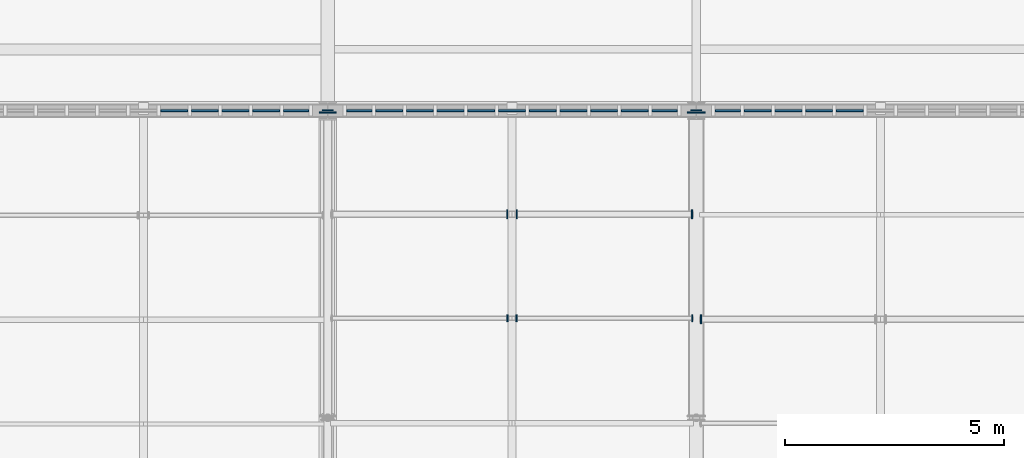
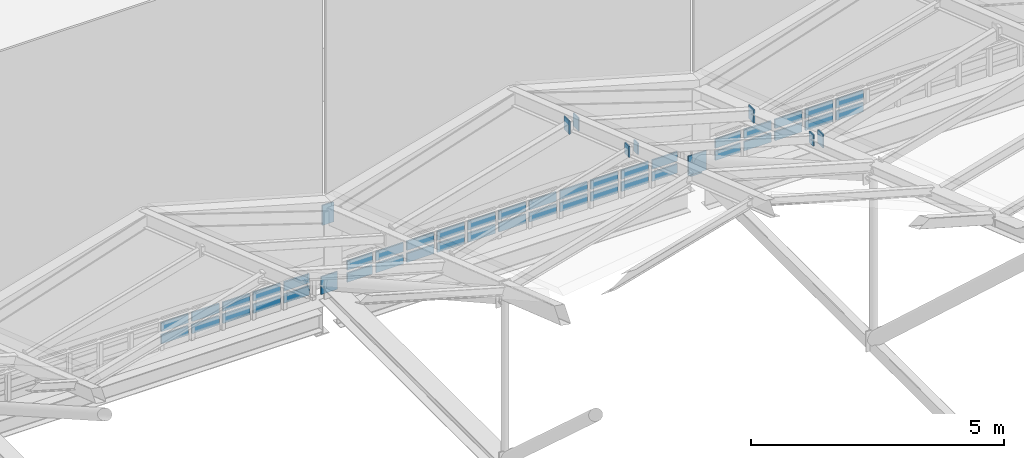
# One storey, part 62 of 77: 53 plates, 3 elements without a shape of their own.
"""IFC4 building model written with IfcOpenShell, lengths in metres."""

from ifc_helpers import new_model, si_unit, direction, frame, origin, origin_2d, place, context, subcontext, project, spatial, rectangle, extrude, material, layer, layer_set, type_object, element, aggregate, save


model = new_model("IFC4")

# Units and contexts
model_context = context("Model", 3, precision=1e-05, world=origin(), true_north=direction((0.0, 1.0)))
body_context = subcontext(model_context, "Body", "Model", "MODEL_VIEW")
ifc_project = project(units=[si_unit("LENGTHUNIT", "METRE"), si_unit("AREAUNIT", "SQUARE_METRE"), si_unit("VOLUMEUNIT", "CUBIC_METRE"), si_unit("PLANEANGLEUNIT", "RADIAN"), si_unit("MASSUNIT", "GRAM", prefix="KILO")], contexts=[model_context])

# Site, building, storey
site_placement = place(None, origin())
site = spatial("IfcSite", under=ifc_project, at=site_placement, CompositionType="ELEMENT")
building_placement = place(site_placement, origin())
building = spatial("IfcBuilding", under=site, at=building_placement, Name="Larkvane Passage Sports Hall", CompositionType="ELEMENT")
storey_placement = place(building_placement, frame((0.0, 0.0, 22.199951171875)))
storey = spatial("IfcBuildingStorey", under=building, at=storey_placement, Name="RF", CompositionType="ELEMENT", Elevation=22.199951171875)

# Curtain wall, plates
ifc_material_1 = material(Name="Thermally broken aluminium and low-E glazing", Category="aluminium")
curtain_wall_type = type_object("IfcCurtainWallType", Name="CW-CLER-N", PredefinedType="USERDEFINED", material=ifc_material_1)
curtain_wall_1_placement = place(storey_placement, origin())
curtain_wall_1 = element("IfcCurtainWall", 1, at=curtain_wall_1_placement, inside=storey, type_object=curtain_wall_type, Name="Curtain wall CW5-RF-CLER-2", ObjectType="STICK CURTAIN WALL", PredefinedType="USERDEFINED")
ifc_material_2 = material(Name="High-impact court low-E glazing", Category="glass")
ifc_layer_1 = layer(ifc_material_2, 0.035888671875)
ifc_layer_set_1 = layer_set([ifc_layer_1], Name="High-impact court low-E glazing")
plate_type_1 = type_object("IfcPlateType", Name="CWP-VIS-36", PredefinedType="CURTAIN_PANEL", material=ifc_layer_set_1)
plate_1_placement = place(storey_placement, frame((50.8798828125, 75.60009765625, 0.0751953125), z_axis=(0.0, 0.0, 1.0), x_axis=(-1.0, 0.0, 0.0)))
plate_1 = element("IfcPlate", 2, at=plate_1_placement, type_object=plate_type_1, Name="CW-04 panel 1.1", PredefinedType="CURTAIN_PANEL", context=body_context, shape_type="SweptSolid", body=[
    extrude(rectangle(XDim=0.580078125, YDim=0.035888671875, at=origin_2d()), origin(), (0.0, 0.0, 1.0), 0.217529296875),
])
plate_2_placement = place(storey_placement, frame((50.8798828125, 75.60009765625, 0.36767578125), z_axis=(0.0, 0.0, 1.0), x_axis=(-1.0, 0.0, 0.0)))
plate_2 = element("IfcPlate", 3, at=plate_2_placement, type_object=plate_type_1, Name="CW-04 panel 1.2", PredefinedType="CURTAIN_PANEL", context=body_context, shape_type="SweptSolid", body=[
    extrude(rectangle(XDim=0.580078125, YDim=0.035888671875, at=origin_2d()), origin(), (0.0, 0.0, 1.0), 0.217529296875),
])
plate_3_placement = place(storey_placement, frame((50.199951171875, 75.60009765625, 0.0751953125), z_axis=(0.0, 0.0, 1.0), x_axis=(-1.0, 0.0, 0.0)))
plate_3 = element("IfcPlate", 4, at=plate_3_placement, type_object=plate_type_1, Name="CW-04 panel 2.1", PredefinedType="CURTAIN_PANEL", context=body_context, shape_type="SweptSolid", body=[
    extrude(rectangle(XDim=0.6201171875, YDim=0.035888671875, at=origin_2d()), origin(), (0.0, 0.0, 1.0), 0.217529296875),
])
plate_4_placement = place(storey_placement, frame((50.199951171875, 75.60009765625, 0.36767578125), z_axis=(0.0, 0.0, 1.0), x_axis=(-1.0, 0.0, 0.0)))
plate_4 = element("IfcPlate", 5, at=plate_4_placement, type_object=plate_type_1, Name="CW-04 panel 2.2", PredefinedType="CURTAIN_PANEL", context=body_context, shape_type="SweptSolid", body=[
    extrude(rectangle(XDim=0.6201171875, YDim=0.035888671875, at=origin_2d()), origin(), (0.0, 0.0, 1.0), 0.217529296875),
])
plate_5_placement = place(storey_placement, frame((49.5, 75.60009765625, 0.0751953125), z_axis=(0.0, 0.0, 1.0), x_axis=(-1.0, 0.0, 0.0)))
plate_5 = element("IfcPlate", 6, at=plate_5_placement, type_object=plate_type_1, Name="CW-04 panel 3.1", PredefinedType="CURTAIN_PANEL", context=body_context, shape_type="SweptSolid", body=[
    extrude(rectangle(XDim=0.6201171875, YDim=0.035888671875, at=origin_2d()), origin(), (0.0, 0.0, 1.0), 0.217529296875),
])
plate_6_placement = place(storey_placement, frame((49.5, 75.60009765625, 0.36767578125), z_axis=(0.0, 0.0, 1.0), x_axis=(-1.0, 0.0, 0.0)))
plate_6 = element("IfcPlate", 7, at=plate_6_placement, type_object=plate_type_1, Name="CW-04 panel 3.2", PredefinedType="CURTAIN_PANEL", context=body_context, shape_type="SweptSolid", body=[
    extrude(rectangle(XDim=0.6201171875, YDim=0.035888671875, at=origin_2d()), origin(), (0.0, 0.0, 1.0), 0.217529296875),
])
plate_7_placement = place(storey_placement, frame((48.800048828125, 75.60009765625, 0.0751953125), z_axis=(0.0, 0.0, 1.0), x_axis=(-1.0, 0.0, 0.0)))
plate_7 = element("IfcPlate", 8, at=plate_7_placement, type_object=plate_type_1, Name="CW-04 panel 4.1", PredefinedType="CURTAIN_PANEL", context=body_context, shape_type="SweptSolid", body=[
    extrude(rectangle(XDim=0.6201171875, YDim=0.035888671875, at=origin_2d()), origin(), (0.0, 0.0, 1.0), 0.217529296875),
])
plate_8_placement = place(storey_placement, frame((48.800048828125, 75.60009765625, 0.36767578125), z_axis=(0.0, 0.0, 1.0), x_axis=(-1.0, 0.0, 0.0)))
plate_8 = element("IfcPlate", 9, at=plate_8_placement, type_object=plate_type_1, Name="CW-04 panel 4.2", PredefinedType="CURTAIN_PANEL", context=body_context, shape_type="SweptSolid", body=[
    extrude(rectangle(XDim=0.6201171875, YDim=0.035888671875, at=origin_2d()), origin(), (0.0, 0.0, 1.0), 0.217529296875),
])
plate_9_placement = place(storey_placement, frame((48.10009765625, 75.60009765625, 0.0751953125), z_axis=(0.0, 0.0, 1.0), x_axis=(-1.0, 0.0, 0.0)))
plate_9 = element("IfcPlate", 10, at=plate_9_placement, type_object=plate_type_1, Name="CW-04 panel 5.1", PredefinedType="CURTAIN_PANEL", context=body_context, shape_type="SweptSolid", body=[
    extrude(rectangle(XDim=0.6201171875, YDim=0.035888671875, at=origin_2d()), origin(), (0.0, 0.0, 1.0), 0.217529296875),
])
plate_10_placement = place(storey_placement, frame((48.10009765625, 75.60009765625, 0.36767578125), z_axis=(0.0, 0.0, 1.0), x_axis=(-1.0, 0.0, 0.0)))
plate_10 = element("IfcPlate", 11, at=plate_10_placement, type_object=plate_type_1, Name="CW-04 panel 5.2", PredefinedType="CURTAIN_PANEL", context=body_context, shape_type="SweptSolid", body=[
    extrude(rectangle(XDim=0.6201171875, YDim=0.035888671875, at=origin_2d()), origin(), (0.0, 0.0, 1.0), 0.217529296875),
])
aggregate(curtain_wall_1, [plate_1, plate_2, plate_3, plate_4, plate_5, plate_6, plate_7, plate_8, plate_9, plate_10])

curtain_wall_2_placement = place(storey_placement, origin())
curtain_wall_2 = element("IfcCurtainWall", 12, at=curtain_wall_2_placement, inside=storey, type_object=curtain_wall_type, Name="Curtain wall CW5-RF-CLER-3", ObjectType="STICK CURTAIN WALL", PredefinedType="USERDEFINED")
plate_11_placement = place(storey_placement, frame((59.280029296875, 75.60009765625, 0.0751953125), z_axis=(0.0, 0.0, 1.0), x_axis=(-1.0, 0.0, 0.0)))
plate_11 = element("IfcPlate", 13, at=plate_11_placement, type_object=plate_type_1, Name="CW-04 panel 1.1", PredefinedType="CURTAIN_PANEL", context=body_context, shape_type="SweptSolid", body=[
    extrude(rectangle(XDim=0.580078125, YDim=0.035888671875, at=origin_2d()), origin(), (0.0, 0.0, 1.0), 0.217529296875),
])
plate_12_placement = place(storey_placement, frame((59.280029296875, 75.60009765625, 0.36767578125), z_axis=(0.0, 0.0, 1.0), x_axis=(-1.0, 0.0, 0.0)))
plate_12 = element("IfcPlate", 14, at=plate_12_placement, type_object=plate_type_1, Name="CW-04 panel 1.2", PredefinedType="CURTAIN_PANEL", context=body_context, shape_type="SweptSolid", body=[
    extrude(rectangle(XDim=0.580078125, YDim=0.035888671875, at=origin_2d()), origin(), (0.0, 0.0, 1.0), 0.217529296875),
])
plate_13_placement = place(storey_placement, frame((58.60009765625, 75.60009765625, 0.0751953125), z_axis=(0.0, 0.0, 1.0), x_axis=(-1.0, 0.0, 0.0)))
plate_13 = element("IfcPlate", 15, at=plate_13_placement, type_object=plate_type_1, Name="CW-04 panel 2.1", PredefinedType="CURTAIN_PANEL", context=body_context, shape_type="SweptSolid", body=[
    extrude(rectangle(XDim=0.6201171875, YDim=0.035888671875, at=origin_2d()), origin(), (0.0, 0.0, 1.0), 0.217529296875),
])
plate_14_placement = place(storey_placement, frame((58.60009765625, 75.60009765625, 0.36767578125), z_axis=(0.0, 0.0, 1.0), x_axis=(-1.0, 0.0, 0.0)))
plate_14 = element("IfcPlate", 16, at=plate_14_placement, type_object=plate_type_1, Name="CW-04 panel 2.2", PredefinedType="CURTAIN_PANEL", context=body_context, shape_type="SweptSolid", body=[
    extrude(rectangle(XDim=0.6201171875, YDim=0.035888671875, at=origin_2d()), origin(), (0.0, 0.0, 1.0), 0.217529296875),
])
plate_15_placement = place(storey_placement, frame((57.89990234375, 75.60009765625, 0.0751953125), z_axis=(0.0, 0.0, 1.0), x_axis=(-1.0, 0.0, 0.0)))
plate_15 = element("IfcPlate", 17, at=plate_15_placement, type_object=plate_type_1, Name="CW-04 panel 3.1", PredefinedType="CURTAIN_PANEL", context=body_context, shape_type="SweptSolid", body=[
    extrude(rectangle(XDim=0.6201171875, YDim=0.035888671875, at=origin_2d()), origin(), (0.0, 0.0, 1.0), 0.217529296875),
])
plate_16_placement = place(storey_placement, frame((57.89990234375, 75.60009765625, 0.36767578125), z_axis=(0.0, 0.0, 1.0), x_axis=(-1.0, 0.0, 0.0)))
plate_16 = element("IfcPlate", 18, at=plate_16_placement, type_object=plate_type_1, Name="CW-04 panel 3.2", PredefinedType="CURTAIN_PANEL", context=body_context, shape_type="SweptSolid", body=[
    extrude(rectangle(XDim=0.6201171875, YDim=0.035888671875, at=origin_2d()), origin(), (0.0, 0.0, 1.0), 0.217529296875),
])
plate_17_placement = place(storey_placement, frame((57.199951171875, 75.60009765625, 0.0751953125), z_axis=(0.0, 0.0, 1.0), x_axis=(-1.0, 0.0, 0.0)))
plate_17 = element("IfcPlate", 19, at=plate_17_placement, type_object=plate_type_1, Name="CW-04 panel 4.1", PredefinedType="CURTAIN_PANEL", context=body_context, shape_type="SweptSolid", body=[
    extrude(rectangle(XDim=0.6201171875, YDim=0.035888671875, at=origin_2d()), origin(), (0.0, 0.0, 1.0), 0.217529296875),
])
plate_18_placement = place(storey_placement, frame((57.199951171875, 75.60009765625, 0.36767578125), z_axis=(0.0, 0.0, 1.0), x_axis=(-1.0, 0.0, 0.0)))
plate_18 = element("IfcPlate", 20, at=plate_18_placement, type_object=plate_type_1, Name="CW-04 panel 4.2", PredefinedType="CURTAIN_PANEL", context=body_context, shape_type="SweptSolid", body=[
    extrude(rectangle(XDim=0.6201171875, YDim=0.035888671875, at=origin_2d()), origin(), (0.0, 0.0, 1.0), 0.217529296875),
])
plate_19_placement = place(storey_placement, frame((56.5, 75.60009765625, 0.0751953125), z_axis=(0.0, 0.0, 1.0), x_axis=(-1.0, 0.0, 0.0)))
plate_19 = element("IfcPlate", 21, at=plate_19_placement, type_object=plate_type_1, Name="CW-04 panel 5.1", PredefinedType="CURTAIN_PANEL", context=body_context, shape_type="SweptSolid", body=[
    extrude(rectangle(XDim=0.6201171875, YDim=0.035888671875, at=origin_2d()), origin(), (0.0, 0.0, 1.0), 0.217529296875),
])
plate_20_placement = place(storey_placement, frame((56.5, 75.60009765625, 0.36767578125), z_axis=(0.0, 0.0, 1.0), x_axis=(-1.0, 0.0, 0.0)))
plate_20 = element("IfcPlate", 22, at=plate_20_placement, type_object=plate_type_1, Name="CW-04 panel 5.2", PredefinedType="CURTAIN_PANEL", context=body_context, shape_type="SweptSolid", body=[
    extrude(rectangle(XDim=0.6201171875, YDim=0.035888671875, at=origin_2d()), origin(), (0.0, 0.0, 1.0), 0.217529296875),
])
plate_21_placement = place(storey_placement, frame((55.800048828125, 75.60009765625, 0.0751953125), z_axis=(0.0, 0.0, 1.0), x_axis=(-1.0, 0.0, 0.0)))
plate_21 = element("IfcPlate", 23, at=plate_21_placement, type_object=plate_type_1, Name="CW-04 panel 6.1", PredefinedType="CURTAIN_PANEL", context=body_context, shape_type="SweptSolid", body=[
    extrude(rectangle(XDim=0.6201171875, YDim=0.035888671875, at=origin_2d()), origin(), (0.0, 0.0, 1.0), 0.217529296875),
])
plate_22_placement = place(storey_placement, frame((55.800048828125, 75.60009765625, 0.36767578125), z_axis=(0.0, 0.0, 1.0), x_axis=(-1.0, 0.0, 0.0)))
plate_22 = element("IfcPlate", 24, at=plate_22_placement, type_object=plate_type_1, Name="CW-04 panel 6.2", PredefinedType="CURTAIN_PANEL", context=body_context, shape_type="SweptSolid", body=[
    extrude(rectangle(XDim=0.6201171875, YDim=0.035888671875, at=origin_2d()), origin(), (0.0, 0.0, 1.0), 0.217529296875),
])
plate_23_placement = place(storey_placement, frame((55.10009765625, 75.60009765625, 0.0751953125), z_axis=(0.0, 0.0, 1.0), x_axis=(-1.0, 0.0, 0.0)))
plate_23 = element("IfcPlate", 25, at=plate_23_placement, type_object=plate_type_1, Name="CW-04 panel 7.1", PredefinedType="CURTAIN_PANEL", context=body_context, shape_type="SweptSolid", body=[
    extrude(rectangle(XDim=0.6201171875, YDim=0.035888671875, at=origin_2d()), origin(), (0.0, 0.0, 1.0), 0.217529296875),
])
plate_24_placement = place(storey_placement, frame((55.10009765625, 75.60009765625, 0.36767578125), z_axis=(0.0, 0.0, 1.0), x_axis=(-1.0, 0.0, 0.0)))
plate_24 = element("IfcPlate", 26, at=plate_24_placement, type_object=plate_type_1, Name="CW-04 panel 7.2", PredefinedType="CURTAIN_PANEL", context=body_context, shape_type="SweptSolid", body=[
    extrude(rectangle(XDim=0.6201171875, YDim=0.035888671875, at=origin_2d()), origin(), (0.0, 0.0, 1.0), 0.217529296875),
])
plate_25_placement = place(storey_placement, frame((54.39990234375, 75.60009765625, 0.0751953125), z_axis=(0.0, 0.0, 1.0), x_axis=(-1.0, 0.0, 0.0)))
plate_25 = element("IfcPlate", 27, at=plate_25_placement, type_object=plate_type_1, Name="CW-04 panel 8.1", PredefinedType="CURTAIN_PANEL", context=body_context, shape_type="SweptSolid", body=[
    extrude(rectangle(XDim=0.6201171875, YDim=0.035888671875, at=origin_2d()), origin(), (0.0, 0.0, 1.0), 0.217529296875),
])
plate_26_placement = place(storey_placement, frame((54.39990234375, 75.60009765625, 0.36767578125), z_axis=(0.0, 0.0, 1.0), x_axis=(-1.0, 0.0, 0.0)))
plate_26 = element("IfcPlate", 28, at=plate_26_placement, type_object=plate_type_1, Name="CW-04 panel 8.2", PredefinedType="CURTAIN_PANEL", context=body_context, shape_type="SweptSolid", body=[
    extrude(rectangle(XDim=0.6201171875, YDim=0.035888671875, at=origin_2d()), origin(), (0.0, 0.0, 1.0), 0.217529296875),
])
plate_27_placement = place(storey_placement, frame((53.699951171875, 75.60009765625, 0.0751953125), z_axis=(0.0, 0.0, 1.0), x_axis=(-1.0, 0.0, 0.0)))
plate_27 = element("IfcPlate", 29, at=plate_27_placement, type_object=plate_type_1, Name="CW-04 panel 9.1", PredefinedType="CURTAIN_PANEL", context=body_context, shape_type="SweptSolid", body=[
    extrude(rectangle(XDim=0.6201171875, YDim=0.035888671875, at=origin_2d()), origin(), (0.0, 0.0, 1.0), 0.217529296875),
])
plate_28_placement = place(storey_placement, frame((53.699951171875, 75.60009765625, 0.36767578125), z_axis=(0.0, 0.0, 1.0), x_axis=(-1.0, 0.0, 0.0)))
plate_28 = element("IfcPlate", 30, at=plate_28_placement, type_object=plate_type_1, Name="CW-04 panel 9.2", PredefinedType="CURTAIN_PANEL", context=body_context, shape_type="SweptSolid", body=[
    extrude(rectangle(XDim=0.6201171875, YDim=0.035888671875, at=origin_2d()), origin(), (0.0, 0.0, 1.0), 0.217529296875),
])
plate_29_placement = place(storey_placement, frame((53.0, 75.60009765625, 0.0751953125), z_axis=(0.0, 0.0, 1.0), x_axis=(-1.0, 0.0, 0.0)))
plate_29 = element("IfcPlate", 31, at=plate_29_placement, type_object=plate_type_1, Name="CW-04 panel 10.1", PredefinedType="CURTAIN_PANEL", context=body_context, shape_type="SweptSolid", body=[
    extrude(rectangle(XDim=0.6201171875, YDim=0.035888671875, at=origin_2d()), origin(), (0.0, 0.0, 1.0), 0.217529296875),
])
plate_30_placement = place(storey_placement, frame((53.0, 75.60009765625, 0.36767578125), z_axis=(0.0, 0.0, 1.0), x_axis=(-1.0, 0.0, 0.0)))
plate_30 = element("IfcPlate", 32, at=plate_30_placement, type_object=plate_type_1, Name="CW-04 panel 10.2", PredefinedType="CURTAIN_PANEL", context=body_context, shape_type="SweptSolid", body=[
    extrude(rectangle(XDim=0.6201171875, YDim=0.035888671875, at=origin_2d()), origin(), (0.0, 0.0, 1.0), 0.217529296875),
])
plate_31_placement = place(storey_placement, frame((52.320068359375, 75.60009765625, 0.0751953125), z_axis=(0.0, 0.0, 1.0), x_axis=(-1.0, 0.0, 0.0)))
plate_31 = element("IfcPlate", 33, at=plate_31_placement, type_object=plate_type_1, Name="CW-04 panel 11.1", PredefinedType="CURTAIN_PANEL", context=body_context, shape_type="SweptSolid", body=[
    extrude(rectangle(XDim=0.580078125, YDim=0.035888671875, at=origin_2d()), origin(), (0.0, 0.0, 1.0), 0.217529296875),
])
plate_32_placement = place(storey_placement, frame((52.320068359375, 75.60009765625, 0.36767578125), z_axis=(0.0, 0.0, 1.0), x_axis=(-1.0, 0.0, 0.0)))
plate_32 = element("IfcPlate", 34, at=plate_32_placement, type_object=plate_type_1, Name="CW-04 panel 11.2", PredefinedType="CURTAIN_PANEL", context=body_context, shape_type="SweptSolid", body=[
    extrude(rectangle(XDim=0.580078125, YDim=0.035888671875, at=origin_2d()), origin(), (0.0, 0.0, 1.0), 0.217529296875),
])
aggregate(curtain_wall_2, [plate_11, plate_12, plate_13, plate_14, plate_15, plate_16, plate_17, plate_18, plate_19, plate_20, plate_21, plate_22, plate_23, plate_24, plate_25, plate_26, plate_27, plate_28, plate_29, plate_30, plate_31, plate_32])

curtain_wall_3_placement = place(storey_placement, origin())
curtain_wall_3 = element("IfcCurtainWall", 35, at=curtain_wall_3_placement, inside=storey, type_object=curtain_wall_type, Name="Curtain wall CW5-RF-CLER-4", ObjectType="STICK CURTAIN WALL", PredefinedType="USERDEFINED")
plate_33_placement = place(storey_placement, frame((63.5, 75.60009765625, 0.0751953125), z_axis=(0.0, 0.0, 1.0), x_axis=(-1.0, 0.0, 0.0)))
plate_33 = element("IfcPlate", 36, at=plate_33_placement, type_object=plate_type_1, Name="CW-04 panel 7.1", PredefinedType="CURTAIN_PANEL", context=body_context, shape_type="SweptSolid", body=[
    extrude(rectangle(XDim=0.6201171875, YDim=0.035888671875, at=origin_2d()), origin(), (0.0, 0.0, 1.0), 0.217529296875),
])
plate_34_placement = place(storey_placement, frame((63.5, 75.60009765625, 0.36767578125), z_axis=(0.0, 0.0, 1.0), x_axis=(-1.0, 0.0, 0.0)))
plate_34 = element("IfcPlate", 37, at=plate_34_placement, type_object=plate_type_1, Name="CW-04 panel 7.2", PredefinedType="CURTAIN_PANEL", context=body_context, shape_type="SweptSolid", body=[
    extrude(rectangle(XDim=0.6201171875, YDim=0.035888671875, at=origin_2d()), origin(), (0.0, 0.0, 1.0), 0.217529296875),
])
plate_35_placement = place(storey_placement, frame((62.800048828125, 75.60009765625, 0.0751953125), z_axis=(0.0, 0.0, 1.0), x_axis=(-1.0, 0.0, 0.0)))
plate_35 = element("IfcPlate", 38, at=plate_35_placement, type_object=plate_type_1, Name="CW-04 panel 8.1", PredefinedType="CURTAIN_PANEL", context=body_context, shape_type="SweptSolid", body=[
    extrude(rectangle(XDim=0.6201171875, YDim=0.035888671875, at=origin_2d()), origin(), (0.0, 0.0, 1.0), 0.217529296875),
])
plate_36_placement = place(storey_placement, frame((62.800048828125, 75.60009765625, 0.36767578125), z_axis=(0.0, 0.0, 1.0), x_axis=(-1.0, 0.0, 0.0)))
plate_36 = element("IfcPlate", 39, at=plate_36_placement, type_object=plate_type_1, Name="CW-04 panel 8.2", PredefinedType="CURTAIN_PANEL", context=body_context, shape_type="SweptSolid", body=[
    extrude(rectangle(XDim=0.6201171875, YDim=0.035888671875, at=origin_2d()), origin(), (0.0, 0.0, 1.0), 0.217529296875),
])
plate_37_placement = place(storey_placement, frame((62.10009765625, 75.60009765625, 0.0751953125), z_axis=(0.0, 0.0, 1.0), x_axis=(-1.0, 0.0, 0.0)))
plate_37 = element("IfcPlate", 40, at=plate_37_placement, type_object=plate_type_1, Name="CW-04 panel 9.1", PredefinedType="CURTAIN_PANEL", context=body_context, shape_type="SweptSolid", body=[
    extrude(rectangle(XDim=0.6201171875, YDim=0.035888671875, at=origin_2d()), origin(), (0.0, 0.0, 1.0), 0.217529296875),
])
plate_38_placement = place(storey_placement, frame((62.10009765625, 75.60009765625, 0.36767578125), z_axis=(0.0, 0.0, 1.0), x_axis=(-1.0, 0.0, 0.0)))
plate_38 = element("IfcPlate", 41, at=plate_38_placement, type_object=plate_type_1, Name="CW-04 panel 9.2", PredefinedType="CURTAIN_PANEL", context=body_context, shape_type="SweptSolid", body=[
    extrude(rectangle(XDim=0.6201171875, YDim=0.035888671875, at=origin_2d()), origin(), (0.0, 0.0, 1.0), 0.217529296875),
])
plate_39_placement = place(storey_placement, frame((61.39990234375, 75.60009765625, 0.0751953125), z_axis=(0.0, 0.0, 1.0), x_axis=(-1.0, 0.0, 0.0)))
plate_39 = element("IfcPlate", 42, at=plate_39_placement, type_object=plate_type_1, Name="CW-04 panel 10.1", PredefinedType="CURTAIN_PANEL", context=body_context, shape_type="SweptSolid", body=[
    extrude(rectangle(XDim=0.6201171875, YDim=0.035888671875, at=origin_2d()), origin(), (0.0, 0.0, 1.0), 0.217529296875),
])
plate_40_placement = place(storey_placement, frame((61.39990234375, 75.60009765625, 0.36767578125), z_axis=(0.0, 0.0, 1.0), x_axis=(-1.0, 0.0, 0.0)))
plate_40 = element("IfcPlate", 43, at=plate_40_placement, type_object=plate_type_1, Name="CW-04 panel 10.2", PredefinedType="CURTAIN_PANEL", context=body_context, shape_type="SweptSolid", body=[
    extrude(rectangle(XDim=0.6201171875, YDim=0.035888671875, at=origin_2d()), origin(), (0.0, 0.0, 1.0), 0.217529296875),
])
plate_41_placement = place(storey_placement, frame((60.719970703125, 75.60009765625, 0.0751953125), z_axis=(0.0, 0.0, 1.0), x_axis=(-1.0, 0.0, 0.0)))
plate_41 = element("IfcPlate", 44, at=plate_41_placement, type_object=plate_type_1, Name="CW-04 panel 11.1", PredefinedType="CURTAIN_PANEL", context=body_context, shape_type="SweptSolid", body=[
    extrude(rectangle(XDim=0.580078125, YDim=0.035888671875, at=origin_2d()), origin(), (0.0, 0.0, 1.0), 0.217529296875),
])
plate_42_placement = place(storey_placement, frame((60.719970703125, 75.60009765625, 0.36767578125), z_axis=(0.0, 0.0, 1.0), x_axis=(-1.0, 0.0, 0.0)))
plate_42 = element("IfcPlate", 45, at=plate_42_placement, type_object=plate_type_1, Name="CW-04 panel 11.2", PredefinedType="CURTAIN_PANEL", context=body_context, shape_type="SweptSolid", body=[
    extrude(rectangle(XDim=0.580078125, YDim=0.035888671875, at=origin_2d()), origin(), (0.0, 0.0, 1.0), 0.217529296875),
])
aggregate(curtain_wall_3, [plate_33, plate_34, plate_35, plate_36, plate_37, plate_38, plate_39, plate_40, plate_41, plate_42])

# Plates
ifc_material_3 = material(Name="Steel S355JR", Category="steel")
ifc_layer_2 = layer(ifc_material_3, 0.011962890625)
ifc_layer_set_2 = layer_set([ifc_layer_2], Name="Steel S355JR")
plate_type_2 = type_object("IfcPlateType", Name="PLT-CAP-12", PredefinedType="SHEET", material=ifc_layer_set_2)
plate_43_placement = place(storey_placement, frame((55.90087890625, 70.86572265625, 4.71826171875), z_axis=(0.0, 0.0, 1.0), x_axis=(0.0, 1.0, 0.0)))
element("IfcPlate", 46, at=plate_43_placement, inside=storey, type_object=plate_type_2, Name="Hollow section sealed end cap plate 0440", PredefinedType="SHEET", context=body_context, shape_type="SweptSolid", body=[
    extrude(rectangle(XDim=0.159912109375, YDim=0.028076171875, at=origin_2d()), origin(), (0.0, 0.0, 1.0), 0.26806640625),
])
plate_44_placement = place(storey_placement, frame((55.907470703125, 73.23779296875, 3.853515625), z_axis=(0.0, 0.0, 1.0), x_axis=(0.0, 1.0, 0.0)))
element("IfcPlate", 47, at=plate_44_placement, inside=storey, type_object=plate_type_2, Name="Hollow section sealed end cap plate 0442", PredefinedType="SHEET", context=body_context, shape_type="SweptSolid", body=[
    extrude(rectangle(XDim=0.2099609375, YDim=0.028076171875, at=origin_2d()), origin(), (0.0, 0.0, 1.0), 0.320068359375),
])
for number, where, z_axis, x_axis, name in (
    (48, (55.698974609375, 70.86572265625, 4.71826171875), (0.0, 0.0, 1.0), (0.0, 1.0, 0.0), "Hollow section sealed end cap plate 0445"),
    (49, (59.910400390625, 70.86572265625, 3.51513671875), (0.0, 0.0, 1.0), (0.0, 1.0, 0.0), "Hollow section sealed end cap plate 0446"),
):
    element("IfcPlate", number, at=place(storey_placement, frame(where, z_axis=z_axis, x_axis=x_axis)), inside=storey, type_object=plate_type_2, Name=name, PredefinedType="SHEET", context=body_context, shape_type="SweptSolid", body=[
        extrude(rectangle(XDim=0.159912109375, YDim=0.028076171875, at=origin_2d()), origin(), (0.0, 0.0, 1.0), 0.26806640625),
    ])
for number, where, z_axis, x_axis, name in (
    (50, (55.6923828125, 73.23779296875, 3.853515625), (0.0, 0.0, 1.0), (0.0, 1.0, 0.0), "Hollow section sealed end cap plate 0447"),
    (51, (59.904052734375, 73.23779296875, 2.650390625), (0.0, 0.0, 1.0), (0.0, 1.0, 0.0), "Hollow section sealed end cap plate 0448"),
    (52, (60.1064453125, 70.845458984375, 3.4296875), (0.0, 0.0, 1.0), (0.0, 1.0, 0.0), "Hollow section sealed end cap plate 0459"),
):
    element("IfcPlate", number, at=place(storey_placement, frame(where, z_axis=z_axis, x_axis=x_axis)), inside=storey, type_object=plate_type_2, Name=name, PredefinedType="SHEET", context=body_context, shape_type="SweptSolid", body=[
        extrude(rectangle(XDim=0.2099609375, YDim=0.028076171875, at=origin_2d()), origin(), (0.0, 0.0, 1.0), 0.320068359375),
    ])
ifc_material_4 = material(Name="Steel S460N", Category="steel")
ifc_layer_3 = layer(ifc_material_4, 0.02001953125)
ifc_layer_set_3 = layer_set([ifc_layer_3], Name="Steel S460N")
plate_type_3 = type_object("IfcPlateType", Name="PLT-CAP-20", PredefinedType="SHEET", material=ifc_layer_set_3)
plate_45_placement = place(storey_placement, frame((51.60009765625, 75.609619140625, 1.635498046875), z_axis=(0.0, 0.0, 1.0), x_axis=(-1.0, 0.0, 0.0)))
element("IfcPlate", 53, at=plate_45_placement, inside=storey, type_object=plate_type_3, Name="Hollow section sealed end cap plate 0272", PredefinedType="SHEET", context=body_context, shape_type="SweptSolid", body=[
    extrude(rectangle(XDim=0.260009765625, YDim=0.028076171875, at=origin_2d()), origin(), (0.0, 0.0, 1.0), 0.48291015625),
])
plate_46_placement = place(storey_placement, frame((51.60009765625, 75.55859375, 0.0224609375), z_axis=(0.0, 0.0, 1.0), x_axis=(-1.0, 0.0, 0.0)))
element("IfcPlate", 54, at=plate_46_placement, inside=storey, type_object=plate_type_3, Name="Hollow section sealed end cap plate 0274", PredefinedType="SHEET", context=body_context, shape_type="SweptSolid", body=[
    extrude(rectangle(XDim=0.37890625, YDim=0.028076171875, at=origin_2d()), origin(), (0.0, 0.0, 1.0), 0.425048828125),
])
plate_47_placement = place(storey_placement, frame((60.0, 75.610107421875, -0.1298828125), z_axis=(0.0, 0.0, 1.0), x_axis=(-1.0, 0.0, 0.0)))
element("IfcPlate", 55, at=plate_47_placement, inside=storey, type_object=plate_type_3, Name="Hollow section sealed end cap plate 0277", PredefinedType="SHEET", context=body_context, shape_type="SweptSolid", body=[
    extrude(rectangle(XDim=0.260009765625, YDim=0.028076171875, at=origin_2d()), origin(), (0.0, 0.0, 1.0), 0.360107421875),
])
plate_48_placement = place(storey_placement, frame((60.0, 75.55859375, -0.0498046875), z_axis=(0.0, 0.0, 1.0), x_axis=(-1.0, 0.0, 0.0)))
element("IfcPlate", 56, at=plate_48_placement, inside=storey, type_object=plate_type_3, Name="Hollow section sealed end cap plate 0289", PredefinedType="SHEET", context=body_context, shape_type="SweptSolid", body=[
    extrude(rectangle(XDim=0.416015625, YDim=0.028076171875, at=origin_2d()), origin(), (0.0, 0.0, 1.0), 0.469970703125),
])

save(model, "model.ifc")
